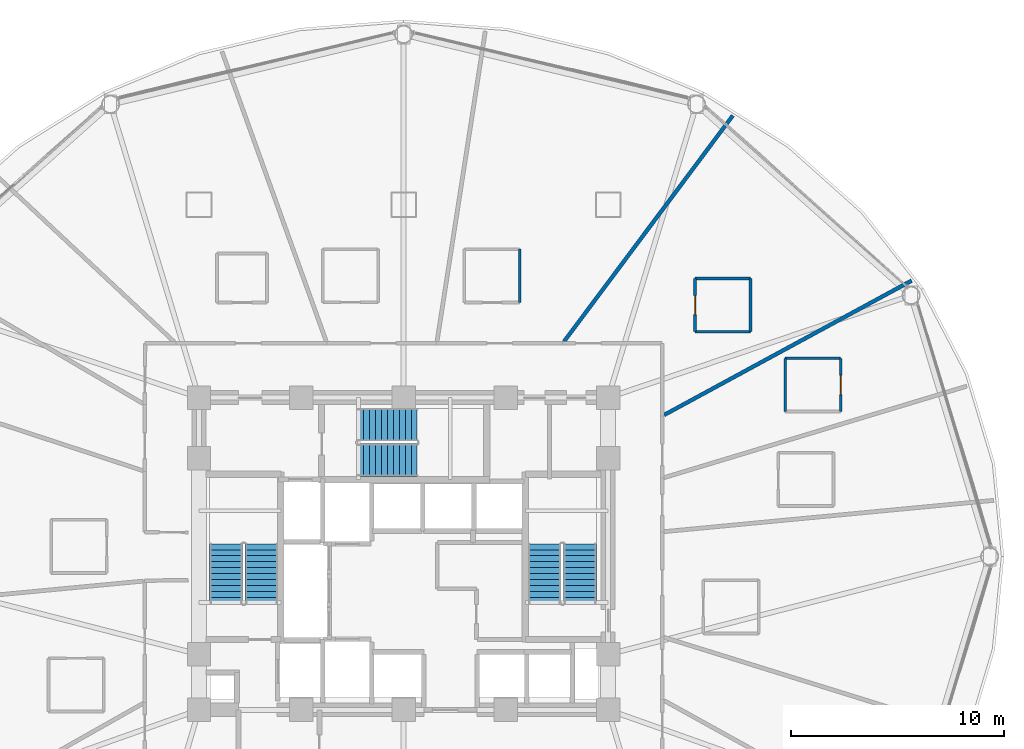
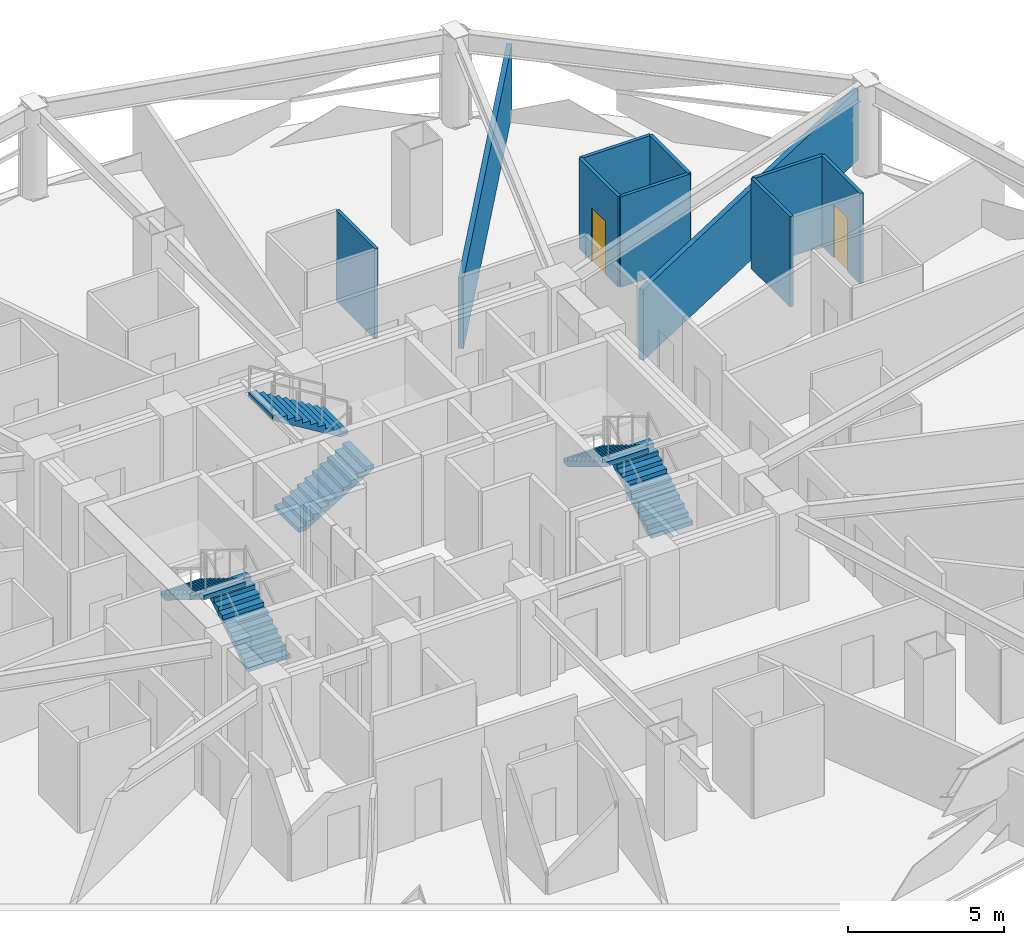
# One storey, part 25 of 30: 10 walls, 6 stair flights, 2 doors, 2 openings, 3 elements without a shape of their own.
"""IFC4 building model written with IfcOpenShell, lengths in metres."""

from ifc_helpers import new_model, si_unit, direction, frame, frame_2d, origin, place, context, subcontext, project, spatial, polyline, rectangle, outline, extrude, material, layer, layer_set, type_object, element, fill, aggregate, save


model = new_model("IFC4")

# Units and contexts
model_context = context("Model", 3, precision=1e-05, world=origin(), true_north=direction((0.0, 1.0)))
body_context = subcontext(model_context, "Body", "Model", "MODEL_VIEW")
ifc_project = project(units=[si_unit("LENGTHUNIT", "METRE"), si_unit("AREAUNIT", "SQUARE_METRE"), si_unit("VOLUMEUNIT", "CUBIC_METRE"), si_unit("PLANEANGLEUNIT", "RADIAN"), si_unit("MASSUNIT", "GRAM", prefix="KILO")], contexts=[model_context])

# Site, building, storey
site_placement = place(None, origin())
site = spatial("IfcSite", under=ifc_project, at=site_placement, CompositionType="ELEMENT")
building_placement = place(site_placement, origin())
building = spatial("IfcBuilding", under=site, at=building_placement, Name="Vantalir Tower", CompositionType="ELEMENT")
storey_placement = place(building_placement, frame((0.0, 0.0, 83.25)))
storey = spatial("IfcBuildingStorey", under=building, at=storey_placement, Name="L20", CompositionType="ELEMENT", Elevation=83.25)

# Walls
ifc_material_1 = material(Name="Moisture-resistant en-suite partition", Category="gypsum")
ifc_layer_1 = layer(ifc_material_1, 0.125)
ifc_layer_set_1 = layer_set([ifc_layer_1], Name="Moisture-resistant en-suite partition")
wall_type_1 = type_object("IfcWallType", Name="WL-BATH-125", PredefinedType="PARTITIONING", material=ifc_layer_set_1)
wall_1_placement = place(storey_placement, frame((49.408935546875, 34.294921875, 0.0), z_axis=(0.0, 0.0, 1.0), x_axis=(1.0, 0.0, 0.0)))
element("IfcWall", 1, at=wall_1_placement, inside=storey, type_object=wall_type_1, Name="L20 En-suite 02 North Wall", PredefinedType="PARTITIONING", context=body_context, shape_type="SweptSolid", body=[
    extrude(rectangle(XDim=2.60009765625, YDim=0.125, at=frame_2d((1.300048828125, 0.0))), origin(), (0.0, 0.0, 1.0), 3.550048828125),
])
wall_2_placement = place(storey_placement, frame((49.408935546875, 31.794921875, 0.0), z_axis=(0.0, 0.0, 1.0), x_axis=(0.0, 1.0, 0.0)))
element("IfcWall", 2, at=wall_2_placement, inside=storey, type_object=wall_type_1, Name="L20 En-suite 02 West Wall", PredefinedType="PARTITIONING", context=body_context, shape_type="SweptSolid", body=[
    extrude(rectangle(XDim=2.5, YDim=0.125, at=frame_2d((1.25, 0.0))), origin(), (0.0, 0.0, 1.0), 3.550048828125),
])

# Wall, opening, door
wall_3_placement = place(storey_placement, frame((52.009033203125, 31.794921875, 0.0), z_axis=(0.0, 0.0, 1.0), x_axis=(0.0, 1.0, 0.0)))
wall_3 = element("IfcWall", 3, at=wall_3_placement, inside=storey, type_object=wall_type_1, Name="L20 En-suite 02 East Wall", PredefinedType="PARTITIONING", context=body_context, shape_type="SweptSolid", body=[
    extrude(rectangle(XDim=2.5, YDim=0.125, at=frame_2d((1.25, 0.0))), origin(), (0.0, 0.0, 1.0), 3.550048828125),
])
opening_1_placement = place(wall_3_placement, frame((0.800048828125, 0.0, 0.0)))
opening_1 = element("IfcOpeningElement", 4, at=opening_1_placement, cuts=wall_3, Name="Opening D-WC", PredefinedType="OPENING", context=body_context, shape_type="SweptSolid", body=[
    extrude(rectangle(XDim=0.89990234375, YDim=2.10009765625, at=frame_2d((0.449951171875, 1.050048828125))), frame((0.0, 0.072509765625, 0.0), z_axis=(0.0, -1.0, 0.0), x_axis=(1.0, 0.0, 0.0)), (0.0, 0.0, 1.0), 0.14501953125),
])
ifc_material_2 = material(Name="Moisture-resistant hardwood door", Category="wood")
door_type = type_object("IfcDoorType", Name="DR-ENSUITE-900", OperationType="NOTDEFINED", PredefinedType="DOOR", material=ifc_material_2)
door_1_placement = place(opening_1_placement, origin())
door_1 = element("IfcDoor", 5, at=door_1_placement, inside=storey, type_object=door_type, Name="L20 En-suite 02 Door", OperationType="SINGLE_SWING_LEFT", OverallHeight=2.10009765625, OverallWidth=0.89990234375, PredefinedType="DOOR", context=body_context, shape_type="SweptSolid", body=[
    extrude(rectangle(XDim=0.89990234375, YDim=2.10009765625, at=frame_2d((0.449951171875, 1.050048828125))), frame((0.0, 0.02490234375, 0.0), z_axis=(0.0, -1.0, 0.0), x_axis=(1.0, 0.0, 0.0)), (0.0, 0.0, 1.0), 0.050048828125),
])
fill(opening_1, door_1)

# Walls
for number, where, z_axis, x_axis, name in (
    (6, (45.177978515625, 35.541015625, 0.0), (0.0, 0.0, 1.0), (1.0, 0.0, 0.0), "L20 En-suite 03 South Wall"),
    (7, (45.177978515625, 38.041015625, 0.0), (0.0, 0.0, 1.0), (1.0, 0.0, 0.0), "L20 En-suite 03 North Wall"),
):
    element("IfcWall", number, at=place(storey_placement, frame(where, z_axis=z_axis, x_axis=x_axis)), inside=storey, type_object=wall_type_1, Name=name, PredefinedType="PARTITIONING", context=body_context, shape_type="SweptSolid", body=[
        extrude(rectangle(XDim=2.60009765625, YDim=0.125, at=frame_2d((1.300048828125, 0.0))), origin(), (0.0, 0.0, 1.0), 3.550048828125),
    ])

# Wall, opening, door
wall_4_placement = place(storey_placement, frame((45.177978515625, 35.541015625, 0.0), z_axis=(0.0, 0.0, 1.0), x_axis=(0.0, 1.0, 0.0)))
wall_4 = element("IfcWall", 8, at=wall_4_placement, inside=storey, type_object=wall_type_1, Name="L20 En-suite 03 West Wall", PredefinedType="PARTITIONING", context=body_context, shape_type="SweptSolid", body=[
    extrude(rectangle(XDim=2.5, YDim=0.125, at=frame_2d((1.25, 0.0))), origin(), (0.0, 0.0, 1.0), 3.550048828125),
])
opening_2_placement = place(wall_4_placement, frame((0.800048828125, 0.0, 0.0)))
opening_2 = element("IfcOpeningElement", 9, at=opening_2_placement, cuts=wall_4, Name="Opening D-WC", PredefinedType="OPENING", context=body_context, shape_type="SweptSolid", body=[
    extrude(rectangle(XDim=0.89990234375, YDim=2.10009765625, at=frame_2d((0.449951171875, 1.050048828125))), frame((0.0, 0.072509765625, 0.0), z_axis=(0.0, -1.0, 0.0), x_axis=(1.0, 0.0, 0.0)), (0.0, 0.0, 1.0), 0.14501953125),
])
door_2_placement = place(opening_2_placement, frame((0.89990234375, 0.0, 0.0), z_axis=(0.0, 0.0, 1.0), x_axis=(-1.0, 0.0, 0.0)))
door_2 = element("IfcDoor", 10, at=door_2_placement, inside=storey, type_object=door_type, Name="L20 En-suite 03 Door", OperationType="SINGLE_SWING_RIGHT", OverallHeight=2.10009765625, OverallWidth=0.89990234375, PredefinedType="DOOR", context=body_context, shape_type="SweptSolid", body=[
    extrude(rectangle(XDim=0.89990234375, YDim=2.10009765625, at=frame_2d((0.449951171875, 1.050048828125))), frame((0.0, 0.02490234375, 0.0), z_axis=(0.0, -1.0, 0.0), x_axis=(1.0, 0.0, 0.0)), (0.0, 0.0, 1.0), 0.050048828125),
])
fill(opening_2, door_2)

# Walls
for number, where, z_axis, x_axis, name in (
    (11, (47.778076171875, 35.541015625, 0.0), (0.0, 0.0, 1.0), (0.0, 1.0, 0.0), "L20 En-suite 03 East Wall"),
    (12, (36.948974609375, 36.9130859375, 0.0), (0.0, 0.0, 1.0), (0.0, 1.0, 0.0), "L20 En-suite 04 East Wall"),
):
    element("IfcWall", number, at=place(storey_placement, frame(where, z_axis=z_axis, x_axis=x_axis)), inside=storey, type_object=wall_type_1, Name=name, PredefinedType="PARTITIONING", context=body_context, shape_type="SweptSolid", body=[
        extrude(rectangle(XDim=2.5, YDim=0.125, at=frame_2d((1.25, 0.0))), origin(), (0.0, 0.0, 1.0), 3.550048828125),
    ])
ifc_material_3 = material(Name="Twin-stud acoustic fire-rated gypsum partition", Category="gypsum")
ifc_layer_2 = layer(ifc_material_3, 0.179931640625)
ifc_layer_set_2 = layer_set([ifc_layer_2], Name="Twin-stud acoustic fire-rated gypsum partition")
wall_type_2 = type_object("IfcWallType", Name="WL-GUEST-180", PredefinedType="PARTITIONING", material=ifc_layer_set_2)
wall_5_placement = place(storey_placement, frame((43.72802734375, 31.635986328125, 0.0), z_axis=(0.0, 0.0, 1.0), x_axis=(0.878890179317, 0.477024163643, 0.0)))
element("IfcWall", 13, at=wall_5_placement, inside=storey, type_object=wall_type_2, Name="L20 Radial Suite Partition 03", PredefinedType="PARTITIONING", context=body_context, shape_type="SweptSolid", body=[
    extrude(rectangle(XDim=13.211181640625, YDim=0.179931640625, at=frame_2d((6.60546875, 0.0))), origin(), (0.0, 0.0, 1.0), 2.77490234375),
])
wall_6_placement = place(storey_placement, frame((39.02587890625, 35.077880859375, 0.0), z_axis=(0.0, 0.0, 1.0), x_axis=(0.598366758348, 0.801222330258, 0.0)))
element("IfcWall", 14, at=wall_6_placement, inside=storey, type_object=wall_type_2, Name="L20 Radial Suite Partition 04", PredefinedType="PARTITIONING", context=body_context, shape_type="SweptSolid", body=[
    extrude(rectangle(XDim=13.236328125, YDim=0.179931640625, at=frame_2d((6.6181640625, 0.0))), origin(), (0.0, 0.0, 1.0), 2.77490234375),
])

# Stair, stair flights
ifc_material_4 = material(Name="Concrete C40/50", Category="concrete")
stair_type = type_object("IfcStairType", Name="STR-CORE-1450", PredefinedType="HALF_TURN_STAIR", material=ifc_material_4)
stair_1_placement = place(storey_placement, origin())
stair_1 = element("IfcStair", 15, at=stair_1_placement, inside=storey, type_object=stair_type, Name="L20 Core Exit Stair 1", PredefinedType="HALF_TURN_STAIR")
stair_flight_type = type_object("IfcStairFlightType", Name="FLT-CORE-1450", PredefinedType="STRAIGHT", material=ifc_material_4)
stair_flight_1_placement = place(storey_placement, frame((24.830078125, 22.7900390625, 0.0), z_axis=(0.0, 0.0, 1.0), x_axis=(0.0, 1.0, 0.0)))
stair_flight_1 = element("IfcStairFlight", 16, at=stair_flight_1_placement, type_object=stair_flight_type, Name="ST1 flight 1", NumberOfRisers=11, NumberOfTreads=10, PredefinedType="STRAIGHT", RiserHeight=0.170454545, TreadLength=0.28, context=body_context, shape_type="SweptSolid", body=[
    extrude(outline(polyline([(0.0, 0.0), (0.0, 0.17041015625), (0.280029296875, 0.17041015625), (0.280029296875, 0.3408203125), (0.56005859375, 0.3408203125), (0.56005859375, 0.511474609375), (0.840087890625, 0.511474609375), (0.840087890625, 0.681884765625), (1.1201171875, 0.681884765625), (1.1201171875, 0.852294921875), (1.39990234375, 0.852294921875), (1.39990234375, 1.022705078125), (1.679931640625, 1.022705078125), (1.679931640625, 1.193115234375), (1.9599609375, 1.193115234375), (1.9599609375, 1.363525390625), (2.239990234375, 1.363525390625), (2.239990234375, 1.5341796875), (2.52001953125, 1.5341796875), (2.52001953125, 1.70458984375), (2.800048828125, 1.70458984375), (2.800048828125, 1.875), (2.800048828125, 1.529052734375), (0.288330078125, 0.0), (0.0, 0.0)])), frame((0.0, 0.77001953125, 0.0), z_axis=(0.0, -1.0, 0.0), x_axis=(1.0, 0.0, 0.0)), (0.0, 0.0, 1.0), 1.5400390625),
])
stair_flight_2_placement = place(storey_placement, frame((23.169921875, 25.590087890625, 1.875), z_axis=(0.0, 0.0, 1.0), x_axis=(0.0, -1.0, 0.0)))
stair_flight_2 = element("IfcStairFlight", 17, at=stair_flight_2_placement, type_object=stair_flight_type, Name="ST1 flight 2", NumberOfRisers=11, NumberOfTreads=10, PredefinedType="STRAIGHT", RiserHeight=0.170454545, TreadLength=0.28, context=body_context, shape_type="SweptSolid", body=[
    extrude(outline(polyline([(0.0, 0.0), (0.0, 0.17041015625), (0.280029296875, 0.17041015625), (0.280029296875, 0.3408203125), (0.56005859375, 0.3408203125), (0.56005859375, 0.511474609375), (0.840087890625, 0.511474609375), (0.840087890625, 0.681884765625), (1.1201171875, 0.681884765625), (1.1201171875, 0.852294921875), (1.39990234375, 0.852294921875), (1.39990234375, 1.022705078125), (1.679931640625, 1.022705078125), (1.679931640625, 1.193115234375), (1.9599609375, 1.193115234375), (1.9599609375, 1.363525390625), (2.239990234375, 1.363525390625), (2.239990234375, 1.5341796875), (2.52001953125, 1.5341796875), (2.52001953125, 1.70458984375), (2.800048828125, 1.70458984375), (2.800048828125, 1.875), (2.800048828125, 1.529052734375), (0.288330078125, 0.0), (0.0, 0.0)])), frame((0.0, 0.77001953125, 0.0), z_axis=(0.0, -1.0, 0.0), x_axis=(1.0, 0.0, 0.0)), (0.0, 0.0, 1.0), 1.5400390625),
])
aggregate(stair_1, [stair_flight_1, stair_flight_2])

stair_2_placement = place(storey_placement, origin())
stair_2 = element("IfcStair", 18, at=stair_2_placement, inside=storey, type_object=stair_type, Name="L20 Core Exit Stair 2", PredefinedType="HALF_TURN_STAIR")
stair_flight_3_placement = place(storey_placement, frame((39.780029296875, 22.7900390625, 0.0), z_axis=(0.0, 0.0, 1.0), x_axis=(0.0, 1.0, 0.0)))
stair_flight_3 = element("IfcStairFlight", 19, at=stair_flight_3_placement, type_object=stair_flight_type, Name="ST2 flight 1", NumberOfRisers=11, NumberOfTreads=10, PredefinedType="STRAIGHT", RiserHeight=0.170454545, TreadLength=0.28, context=body_context, shape_type="SweptSolid", body=[
    extrude(outline(polyline([(0.0, 0.0), (0.0, 0.17041015625), (0.280029296875, 0.17041015625), (0.280029296875, 0.3408203125), (0.56005859375, 0.3408203125), (0.56005859375, 0.511474609375), (0.840087890625, 0.511474609375), (0.840087890625, 0.681884765625), (1.1201171875, 0.681884765625), (1.1201171875, 0.852294921875), (1.39990234375, 0.852294921875), (1.39990234375, 1.022705078125), (1.679931640625, 1.022705078125), (1.679931640625, 1.193115234375), (1.9599609375, 1.193115234375), (1.9599609375, 1.363525390625), (2.239990234375, 1.363525390625), (2.239990234375, 1.5341796875), (2.52001953125, 1.5341796875), (2.52001953125, 1.70458984375), (2.800048828125, 1.70458984375), (2.800048828125, 1.875), (2.800048828125, 1.529052734375), (0.288330078125, 0.0), (0.0, 0.0)])), frame((0.0, 0.77001953125, 0.0), z_axis=(0.0, -1.0, 0.0), x_axis=(1.0, 0.0, 0.0)), (0.0, 0.0, 1.0), 1.5400390625),
])
stair_flight_4_placement = place(storey_placement, frame((38.1201171875, 25.590087890625, 1.875), z_axis=(0.0, 0.0, 1.0), x_axis=(0.0, -1.0, 0.0)))
stair_flight_4 = element("IfcStairFlight", 20, at=stair_flight_4_placement, type_object=stair_flight_type, Name="ST2 flight 2", NumberOfRisers=11, NumberOfTreads=10, PredefinedType="STRAIGHT", RiserHeight=0.170454545, TreadLength=0.28, context=body_context, shape_type="SweptSolid", body=[
    extrude(outline(polyline([(0.0, 0.0), (0.0, 0.17041015625), (0.280029296875, 0.17041015625), (0.280029296875, 0.3408203125), (0.56005859375, 0.3408203125), (0.56005859375, 0.511474609375), (0.840087890625, 0.511474609375), (0.840087890625, 0.681884765625), (1.1201171875, 0.681884765625), (1.1201171875, 0.852294921875), (1.39990234375, 0.852294921875), (1.39990234375, 1.022705078125), (1.679931640625, 1.022705078125), (1.679931640625, 1.193115234375), (1.9599609375, 1.193115234375), (1.9599609375, 1.363525390625), (2.239990234375, 1.363525390625), (2.239990234375, 1.5341796875), (2.52001953125, 1.5341796875), (2.52001953125, 1.70458984375), (2.800048828125, 1.70458984375), (2.800048828125, 1.875), (2.800048828125, 1.529052734375), (0.288330078125, 0.0), (0.0, 0.0)])), frame((0.0, 0.77001953125, 0.0), z_axis=(0.0, -1.0, 0.0), x_axis=(1.0, 0.0, 0.0)), (0.0, 0.0, 1.0), 1.5400390625),
])
aggregate(stair_2, [stair_flight_3, stair_flight_4])

stair_3_placement = place(storey_placement, origin())
stair_3 = element("IfcStair", 21, at=stair_3_placement, inside=storey, type_object=stair_type, Name="L20 Core Exit Stair 3", PredefinedType="HALF_TURN_STAIR")
stair_flight_5_placement = place(storey_placement, frame((29.340087890625, 29.52001953125, 0.0), z_axis=(0.0, 0.0, 1.0), x_axis=(1.0, 0.0, 0.0)))
stair_flight_5 = element("IfcStairFlight", 22, at=stair_flight_5_placement, type_object=stair_flight_type, Name="ST3 flight 1", NumberOfRisers=11, NumberOfTreads=10, PredefinedType="STRAIGHT", RiserHeight=0.170454545, TreadLength=0.28, context=body_context, shape_type="SweptSolid", body=[
    extrude(outline(polyline([(0.0, 0.0), (0.0, 0.17041015625), (0.280029296875, 0.17041015625), (0.280029296875, 0.3408203125), (0.56005859375, 0.3408203125), (0.56005859375, 0.511474609375), (0.840087890625, 0.511474609375), (0.840087890625, 0.681884765625), (1.1201171875, 0.681884765625), (1.1201171875, 0.852294921875), (1.39990234375, 0.852294921875), (1.39990234375, 1.022705078125), (1.679931640625, 1.022705078125), (1.679931640625, 1.193115234375), (1.9599609375, 1.193115234375), (1.9599609375, 1.363525390625), (2.239990234375, 1.363525390625), (2.239990234375, 1.5341796875), (2.52001953125, 1.5341796875), (2.52001953125, 1.70458984375), (2.800048828125, 1.70458984375), (2.800048828125, 1.875), (2.800048828125, 1.529052734375), (0.288330078125, 0.0), (0.0, 0.0)])), frame((0.0, 0.77001953125, 0.0), z_axis=(0.0, -1.0, 0.0), x_axis=(1.0, 0.0, 0.0)), (0.0, 0.0, 1.0), 1.5400390625),
])
stair_flight_6_placement = place(storey_placement, frame((32.139892578125, 31.179931640625, 1.875), z_axis=(0.0, 0.0, 1.0), x_axis=(-1.0, 0.0, 0.0)))
stair_flight_6 = element("IfcStairFlight", 23, at=stair_flight_6_placement, type_object=stair_flight_type, Name="ST3 flight 2", NumberOfRisers=11, NumberOfTreads=10, PredefinedType="STRAIGHT", RiserHeight=0.170454545, TreadLength=0.28, context=body_context, shape_type="SweptSolid", body=[
    extrude(outline(polyline([(0.0, 0.0), (0.0, 0.17041015625), (0.280029296875, 0.17041015625), (0.280029296875, 0.3408203125), (0.56005859375, 0.3408203125), (0.56005859375, 0.511474609375), (0.840087890625, 0.511474609375), (0.840087890625, 0.681884765625), (1.1201171875, 0.681884765625), (1.1201171875, 0.852294921875), (1.39990234375, 0.852294921875), (1.39990234375, 1.022705078125), (1.679931640625, 1.022705078125), (1.679931640625, 1.193115234375), (1.9599609375, 1.193115234375), (1.9599609375, 1.363525390625), (2.239990234375, 1.363525390625), (2.239990234375, 1.5341796875), (2.52001953125, 1.5341796875), (2.52001953125, 1.70458984375), (2.800048828125, 1.70458984375), (2.800048828125, 1.875), (2.800048828125, 1.529052734375), (0.288330078125, 0.0), (0.0, 0.0)])), frame((0.0, 0.77001953125, 0.0), z_axis=(0.0, -1.0, 0.0), x_axis=(1.0, 0.0, 0.0)), (0.0, 0.0, 1.0), 1.5400390625),
])
aggregate(stair_3, [stair_flight_5, stair_flight_6])

save(model, "model.ifc")
